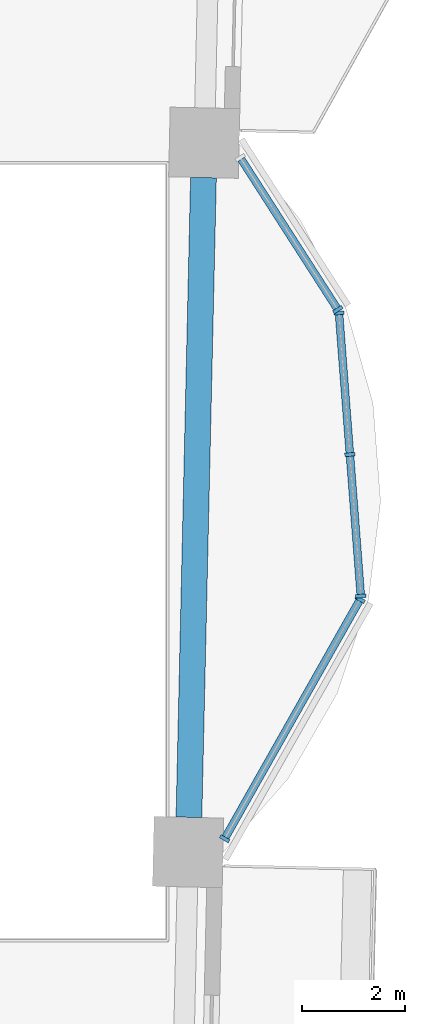
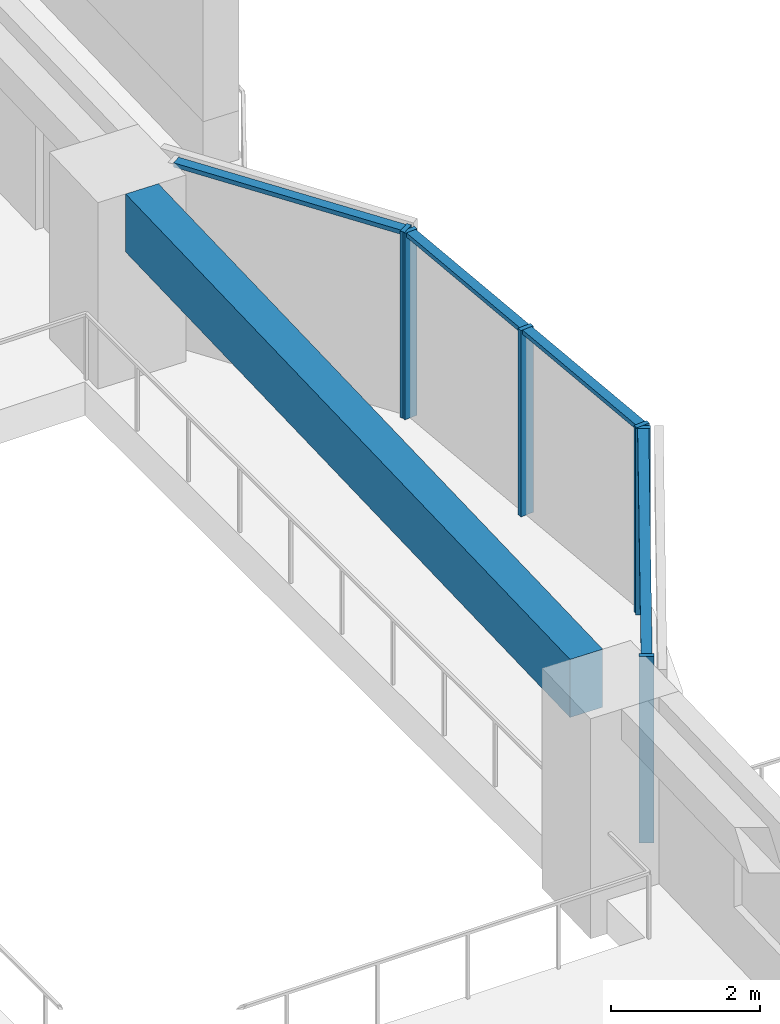
# One storey, part 2 of 16: 10 members, 1 beam, 3 elements without a shape of their own.
"""IFC4 building model written with IfcOpenShell, lengths in metres."""

import ifcopenshell
import ifcopenshell.guid

model = None  # the IFC model being written
_history = None  # IfcOwnerHistory: only IFC2X3 demands one
_inside = {}  # id of a spatial element -> (the spatial element, [elements in it])
_under = {}  # id of a project, library or spatial element -> (it, [spatial elements below it])
_declared = {}  # id of a project -> (the project, [libraries it declares])
_typed = {}  # id of a type object -> (the type object, [elements of that type])
_made_of = {}  # id of a material, layer set ... -> (it, [elements and type objects made of it])


def new_model(schema):
    """Start an empty IFC model of exactly this schema.

    Asked for "IFC4X3", IfcOpenShell would pick the latest addendum, in which some entities
    have other attributes; the version numbers below select the first issue.
    IFC2X3 requires an IfcOwnerHistory on every rooted entity: one is made here for all.
    """
    global model, _history
    if schema == "IFC4X3":
        model = ifcopenshell.file(schema_version=(4, 3, 0, 0))
    else:
        model = ifcopenshell.file(schema=schema)
    _inside.clear()
    _under.clear()
    _declared.clear()
    _typed.clear()
    _made_of.clear()
    _history = None
    if model.schema == "IFC2X3":
        org = make("IfcOrganization", Name="unknown")
        user = make(
            "IfcPersonAndOrganization",
            ThePerson=make("IfcPerson", FamilyName="unknown"),
            TheOrganization=org,
        )
        app = make(
            "IfcApplication",
            ApplicationDeveloper=org,
            Version="unknown",
            ApplicationFullName="unknown",
            ApplicationIdentifier="unknown",
        )
        _history = make(
            "IfcOwnerHistory",
            OwningUser=user,
            OwningApplication=app,
            ChangeAction="ADDED",
            CreationDate=0,
        )
    return model


def make(cls, **values):
    """One entity of the class cls with the attributes given. An attribute that is None is left unset."""
    return model.create_entity(
        cls, **{name: value for name, value in values.items() if value is not None}
    )


def rooted(cls, **values):
    """An entity with a GlobalId (a new one), such as an element, a storey or a relation."""
    return make(cls, GlobalId=ifcopenshell.guid.new(), OwnerHistory=_history, **values)


def si_unit(unit_type, name, prefix=None):
    """IfcSIUnit, for example si_unit("LENGTHUNIT", "METRE", prefix="MILLI")."""
    return make("IfcSIUnit", UnitType=unit_type, Prefix=prefix, Name=name)


def assignment(units):
    """IfcUnitAssignment: the units of a project."""
    return None if units is None else make("IfcUnitAssignment", Units=units)


def point(xyz):
    """IfcCartesianPoint."""
    return None if xyz is None else make("IfcCartesianPoint", Coordinates=xyz)


def direction(xyz):
    """IfcDirection."""
    return None if xyz is None else make("IfcDirection", DirectionRatios=xyz)


def frame(location, z_axis=None, x_axis=None):
    """IfcAxis2Placement3D, a coordinate frame: its origin and axes. An axis left out is left unset."""
    return make(
        "IfcAxis2Placement3D",
        Location=point(location),
        Axis=direction(z_axis),
        RefDirection=direction(x_axis),
    )


def frame_2d(location, x_axis=None):
    """IfcAxis2Placement2D, a coordinate frame in the plane: its origin and x axis."""
    return make(
        "IfcAxis2Placement2D", Location=point(location), RefDirection=direction(x_axis)
    )


def origin():
    """The frame at (0, 0, 0) with its axes left unset."""
    return frame((0.0, 0.0, 0.0))


def origin_2d():
    """The frame at (0, 0) in the plane with its x axis left unset."""
    return frame_2d((0.0, 0.0))


def place(relative_to, where):
    """IfcLocalPlacement: puts the frame where relative to a parent placement (None: the world)."""
    return make(
        "IfcLocalPlacement", PlacementRelTo=relative_to, RelativePlacement=where
    )


def context(
    kind, dimensions, precision=None, world=None, true_north=None, identifier=None
):
    """IfcGeometricRepresentationContext, for example the 3D "Model" context."""
    return make(
        "IfcGeometricRepresentationContext",
        ContextIdentifier=identifier,
        ContextType=kind,
        CoordinateSpaceDimension=dimensions,
        Precision=precision,
        WorldCoordinateSystem=world,
        TrueNorth=true_north,
    )


def subcontext(parent, identifier, kind, view, scale=None):
    """IfcGeometricRepresentationSubContext, for example "Body" below "Model"."""
    return make(
        "IfcGeometricRepresentationSubContext",
        ContextIdentifier=identifier,
        ContextType=kind,
        ParentContext=parent,
        TargetScale=scale,
        TargetView=view,
    )


def project(units=None, contexts=None):
    """IfcProject with its units and contexts."""
    return rooted(
        "IfcProject",
        Name="project",
        RepresentationContexts=contexts,
        UnitsInContext=assignment(units),
    )


def spatial(cls, under=None, at=None, **own):
    """A site, building, storey or space (cls), placed at a placement, below another one or the project."""
    s = rooted(cls, ObjectPlacement=at, **own)
    if under is not None:
        _under.setdefault(under.id(), (under, []))[1].append(s)
    return s


def profile(cls, at=None, kind="AREA", **sizes):
    """A parametric profile (cls). Its sizes go by their IFC names, for example OverallWidth=200.0."""
    return make(cls, ProfileType=kind, Position=at, **sizes)


def rectangle(**sizes):
    """IfcRectangleProfileDef."""
    return profile("IfcRectangleProfileDef", **sizes)


def extrude(swept, where, along, depth):
    """IfcExtrudedAreaSolid: the profile swept, set in the frame where, extruded along a direction by depth."""
    return make(
        "IfcExtrudedAreaSolid",
        SweptArea=swept,
        Position=where,
        ExtrudedDirection=direction(along),
        Depth=depth,
    )


def shape(context_of_items, identifier, shape_type, items):
    """IfcShapeRepresentation: the items that make up one representation, for example the "Body"."""
    return make(
        "IfcShapeRepresentation",
        ContextOfItems=context_of_items,
        RepresentationIdentifier=identifier,
        RepresentationType=shape_type,
        Items=items,
    )


def material(Name=None, Category=None):
    """IfcMaterial."""
    return make("IfcMaterial", Name=Name, Category=Category)


def material_profile(
    of_material, cross_section, Name=None, Category=None, Priority=None
):
    """IfcMaterialProfile: a cross section and its material."""
    return make(
        "IfcMaterialProfile",
        Name=Name,
        Material=of_material,
        Profile=cross_section,
        Priority=Priority,
        Category=Category,
    )


def profile_set(profiles, Name=None, composite=None):
    """IfcMaterialProfileSet."""
    return make(
        "IfcMaterialProfileSet",
        Name=Name,
        MaterialProfiles=profiles,
        CompositeProfile=composite,
    )


def made_of(thing, what):
    """Note that an element or type object is made of a material, layer set ...; save() writes the relation."""
    if what is not None:
        _made_of.setdefault(what.id(), (what, []))[1].append(thing)
    return thing


def type_object(cls, material=None, **own):
    """A type object (cls), such as IfcWallType, which elements share."""
    return made_of(rooted(cls, **own), material)


def element(
    cls,
    number,
    at=None,
    inside=None,
    cuts=None,
    type_object=None,
    material=None,
    context=None,
    identifier="Body",
    shape_type=None,
    held_by="IfcProductDefinitionShape",
    body=None,
    shapes=None,
    **own,
):
    """One element of the class cls, such as IfcWall. Its Tag is "e" and its number.

    at: its placement. inside: the storey or other place that contains it. cuts: it is an
    opening in that element (IfcRelVoidsElement). A single representation is given by context,
    identifier, shape_type and body (its items); several are given by shapes. held_by: the class
    of the entity that holds the representations. save() writes the other relations.
    """
    e = rooted(cls, Tag="e%d" % number, ObjectPlacement=at, **own)
    if body is not None:
        shapes = [shape(context, identifier, shape_type, body)]
    if shapes is not None:
        e.Representation = make(held_by, Representations=shapes)
    if inside is not None:
        _inside.setdefault(inside.id(), (inside, []))[1].append(e)
    if cuts is not None:
        rooted(
            "IfcRelVoidsElement", RelatingBuildingElement=cuts, RelatedOpeningElement=e
        )
    if type_object is not None:
        _typed.setdefault(type_object.id(), (type_object, []))[1].append(e)
    return made_of(e, material)


def aggregate(whole, parts):
    """IfcRelAggregates: a whole, such as a stair, and the parts it consists of."""
    return rooted("IfcRelAggregates", RelatingObject=whole, RelatedObjects=parts)


def save(model, path):
    """Write the relations noted so far, then the file.

    IfcRelAggregates (storeys below a building ...), IfcRelContainedInSpatialStructure (elements
    in a storey), IfcRelDefinesByType, IfcRelAssociatesMaterial and IfcRelDeclares: one each for
    every whole, place, type object, material and project.
    """
    for whole, parts in _under.values():
        aggregate(whole, parts)
    for where, things in _inside.values():
        rooted(
            "IfcRelContainedInSpatialStructure",
            RelatedElements=things,
            RelatingStructure=where,
        )
    for kind, things in _typed.values():
        rooted("IfcRelDefinesByType", RelatedObjects=things, RelatingType=kind)
    for what, things in _made_of.values():
        rooted("IfcRelAssociatesMaterial", RelatedObjects=things, RelatingMaterial=what)
    for by, libraries in _declared.values():
        rooted("IfcRelDeclares", RelatingContext=by, RelatedDefinitions=libraries)
    model.write(path)


model = new_model("IFC4")

# Units and contexts
model_context = context("Model", 3, precision=1e-05, world=origin(), true_north=direction((0.0, 1.0)))
body_context = subcontext(model_context, "Body", "Model", "MODEL_VIEW")
ifc_project = project(units=[si_unit("LENGTHUNIT", "METRE"), si_unit("AREAUNIT", "SQUARE_METRE"), si_unit("VOLUMEUNIT", "CUBIC_METRE"), si_unit("PLANEANGLEUNIT", "RADIAN"), si_unit("MASSUNIT", "GRAM", prefix="KILO")], contexts=[model_context])

# Site, building, storey
site_placement = place(None, origin())
site = spatial("IfcSite", under=ifc_project, at=site_placement, CompositionType="ELEMENT")
building_placement = place(site_placement, origin())
building = spatial("IfcBuilding", under=site, at=building_placement, Name="Mangrove Gate Tower", CompositionType="ELEMENT")
storey_placement = place(building_placement, frame((0.0, 0.0, 112.699951171875)))
storey = spatial("IfcBuildingStorey", under=building, at=storey_placement, Name="L28", CompositionType="ELEMENT", Elevation=112.699951171875)

# Curtain wall, members
ifc_material_1 = material(Name="Aluminium and glass curtain wall", Category="aluminium")
curtain_wall_type = type_object("IfcCurtainWallType", Name="Atrium garden-court glazing wall", PredefinedType="NOTDEFINED", material=ifc_material_1)
curtain_wall_1_placement = place(storey_placement, origin())
curtain_wall_1 = element("IfcCurtainWall", 1, at=curtain_wall_1_placement, inside=storey, type_object=curtain_wall_type, Name="Atrium garden-court glazing E1f1", PredefinedType="NOTDEFINED")
ifc_material_2 = material(Name="Aluminium alloy 6063-T6", Category="aluminium")
ifc_material_profile_1 = material_profile(ifc_material_2, rectangle(XDim=0.070068359375, YDim=0.199951171875, at=origin_2d()))
ifc_profile_set_1 = profile_set([ifc_material_profile_1], Name="Aluminium alloy 6063-T6")
member_type_1 = type_object("IfcMemberType", Name="Atrium garden-court glazing mullion 70x200", PredefinedType="MULLION", material=ifc_profile_set_1)
member_1_placement = place(storey_placement, frame((25.373779296875, -5.563232421875, 0.0), z_axis=(0.0, 0.0, 1.0), x_axis=(0.492584614745, 0.870264555935, 0.0)))
member_1 = element("IfcMember", 2, at=member_1_placement, type_object=member_type_1, Name="CWA mullion 1", PredefinedType="MULLION", context=body_context, shape_type="SweptSolid", body=[
    extrude(rectangle(XDim=0.070068359375, YDim=0.199951171875, at=origin_2d()), origin(), (0.0, 0.0, 1.0), 3.050048828125),
])
member_2_placement = place(storey_placement, frame((27.998291015625, -0.92626953125, 0.0), z_axis=(0.0, 0.0, 1.0), x_axis=(0.492584614745, 0.870264555935, 0.0)))
member_2 = element("IfcMember", 3, at=member_2_placement, type_object=member_type_1, Name="CWA mullion 2", PredefinedType="MULLION", context=body_context, shape_type="SweptSolid", body=[
    extrude(rectangle(XDim=0.070068359375, YDim=0.199951171875, at=origin_2d()), origin(), (0.0, 0.0, 1.0), 3.050048828125),
])

curtain_wall_2_placement = place(storey_placement, origin())
curtain_wall_2 = element("IfcCurtainWall", 4, at=curtain_wall_2_placement, inside=storey, type_object=curtain_wall_type, Name="Atrium garden-court glazing E1f2", PredefinedType="NOTDEFINED")
member_3_placement = place(storey_placement, frame((28.012939453125, -0.861083984375, 0.0), z_axis=(0.0, 0.0, 1.0), x_axis=(-0.077023348229, 0.997029289353, 0.0)))
member_3 = element("IfcMember", 5, at=member_3_placement, type_object=member_type_1, Name="CWA mullion 1", PredefinedType="MULLION", context=body_context, shape_type="SweptSolid", body=[
    extrude(rectangle(XDim=0.070068359375, YDim=0.199951171875, at=origin_2d()), origin(), (0.0, 0.0, 1.0), 3.050048828125),
])
member_4_placement = place(storey_placement, frame((27.801025390625, 1.882568359375, 0.0), z_axis=(0.0, 0.0, 1.0), x_axis=(-0.077023348229, 0.997029289353, 0.0)))
member_4 = element("IfcMember", 6, at=member_4_placement, type_object=member_type_1, Name="CWA mullion 2", PredefinedType="MULLION", context=body_context, shape_type="SweptSolid", body=[
    extrude(rectangle(XDim=0.070068359375, YDim=0.199951171875, at=origin_2d()), origin(), (0.0, 0.0, 1.0), 3.050048828125),
])
member_5_placement = place(storey_placement, frame((27.5888671875, 4.6259765625, 0.0), z_axis=(0.0, 0.0, 1.0), x_axis=(-0.077023348229, 0.997029289353, 0.0)))
member_5 = element("IfcMember", 7, at=member_5_placement, type_object=member_type_1, Name="CWA mullion 3", PredefinedType="MULLION", context=body_context, shape_type="SweptSolid", body=[
    extrude(rectangle(XDim=0.070068359375, YDim=0.199951171875, at=origin_2d()), origin(), (0.0, 0.0, 1.0), 3.050048828125),
])

# Curtain wall, member
curtain_wall_3_placement = place(storey_placement, origin())
curtain_wall_3 = element("IfcCurtainWall", 8, at=curtain_wall_3_placement, inside=storey, type_object=curtain_wall_type, Name="Atrium garden-court glazing E1f3", PredefinedType="NOTDEFINED")
member_6_placement = place(storey_placement, frame((27.5673828125, 4.6904296875, 0.0), z_axis=(0.0, 0.0, 1.0), x_axis=(-0.540510523896, 0.841337253162, 0.0)))
member_6 = element("IfcMember", 9, at=member_6_placement, type_object=member_type_1, Name="CWA mullion 1", PredefinedType="MULLION", context=body_context, shape_type="SweptSolid", body=[
    extrude(rectangle(XDim=0.070068359375, YDim=0.199951171875, at=origin_2d()), origin(), (0.0, 0.0, 1.0), 3.050048828125),
])

# Member
ifc_material_3 = material(Name="Aluminium alloy 6063-T6", Category="aluminium")
ifc_material_profile_2 = material_profile(ifc_material_3, rectangle(XDim=0.070068359375, YDim=0.14990234375, at=origin_2d()))
ifc_profile_set_2 = profile_set([ifc_material_profile_2], Name="Aluminium alloy 6063-T6")
member_type_2 = type_object("IfcMemberType", Name="Atrium garden-court glazing transom 70x150", PredefinedType="USERDEFINED", material=ifc_profile_set_2)
member_7_placement = place(storey_placement, frame((25.39111328125, -5.53271484375, 3.01513671875), z_axis=(0.492554428347, 0.870281641261, 0.0), x_axis=(0.0, 0.0, 1.0)))
member_7 = element("IfcMember", 10, at=member_7_placement, type_object=member_type_2, Name="CWA transom 1.2", ObjectType="TRANSOM", PredefinedType="USERDEFINED", context=body_context, shape_type="SweptSolid", body=[
    extrude(rectangle(XDim=0.070068359375, YDim=0.14990234375, at=origin_2d()), origin(), (0.0, 0.0, 1.0), 5.258056640625),
])

aggregate(curtain_wall_1, [member_1, member_2, member_7])

member_8_placement = place(storey_placement, frame((28.01025390625, -0.826171875, 3.01513671875), z_axis=(-0.07701672858, 0.997029800718, 0.0), x_axis=(0.0, 0.0, 1.0)))
member_8 = element("IfcMember", 11, at=member_8_placement, type_object=member_type_2, Name="CWA transom 1.2", ObjectType="TRANSOM", PredefinedType="USERDEFINED", context=body_context, shape_type="SweptSolid", body=[
    extrude(rectangle(XDim=0.070068359375, YDim=0.14990234375, at=origin_2d()), origin(), (0.0, 0.0, 1.0), 2.681884765625),
])

member_9_placement = place(storey_placement, frame((27.798095703125, 1.91748046875, 3.01513671875), z_axis=(-0.07701672858, 0.997029800718, 0.0), x_axis=(0.0, 0.0, 1.0)))
member_9 = element("IfcMember", 12, at=member_9_placement, type_object=member_type_2, Name="CWA transom 2.2", ObjectType="TRANSOM", PredefinedType="USERDEFINED", context=body_context, shape_type="SweptSolid", body=[
    extrude(rectangle(XDim=0.070068359375, YDim=0.14990234375, at=origin_2d()), origin(), (0.0, 0.0, 1.0), 2.681884765625),
])

aggregate(curtain_wall_2, [member_3, member_4, member_5, member_8, member_9])

member_10_placement = place(storey_placement, frame((27.54833984375, 4.719970703125, 3.01513671875), z_axis=(-0.540487632005, 0.841351959438, 0.0), x_axis=(0.0, 0.0, 1.0)))
member_10 = element("IfcMember", 13, at=member_10_placement, type_object=member_type_2, Name="CWA transom 1.2", ObjectType="TRANSOM", PredefinedType="USERDEFINED", context=body_context, shape_type="SweptSolid", body=[
    extrude(rectangle(XDim=0.070068359375, YDim=0.14990234375, at=origin_2d()), origin(), (0.0, 0.0, 1.0), 3.428466796875),
])

aggregate(curtain_wall_3, [member_6, member_10])

# Beam
ifc_material_4 = material(Name="Concrete C50/60", Category="concrete")
ifc_material_profile_3 = material_profile(ifc_material_4, rectangle(XDim=0.5, YDim=0.949951171875, at=origin_2d()))
ifc_profile_set_3 = profile_set([ifc_material_profile_3], Name="Concrete C50/60")
beam_type = type_object("IfcBeamType", Name="Edge beam RC 500x950 C50/60", PredefinedType="BEAM", material=ifc_profile_set_3)
beam_placement = place(storey_placement, frame((24.681396484375, -5.14794921875, 2.574951171875), z_axis=(0.022699938925, 0.999742323188, 0.0), x_axis=(-0.999742323188, 0.022699938925, 0.0)))
element("IfcBeam", 14, at=beam_placement, inside=storey, type_object=beam_type, Name="Edge beam L28 15", PredefinedType="BEAM", context=body_context, shape_type="SweptSolid", body=[
    extrude(rectangle(XDim=0.5, YDim=0.949951171875, at=origin_2d()), origin(), (0.0, 0.0, 1.0), 12.400634765625),
])

save(model, "model.ifc")
